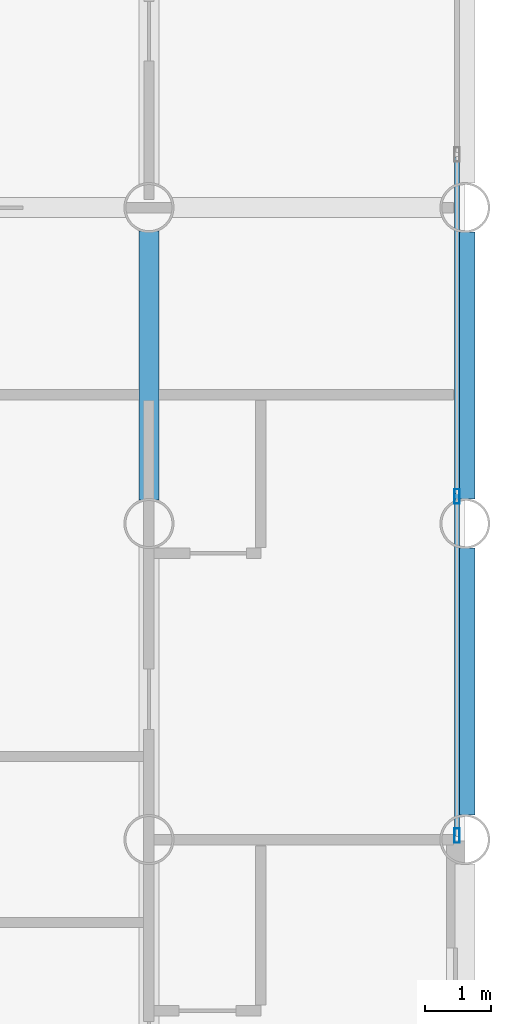
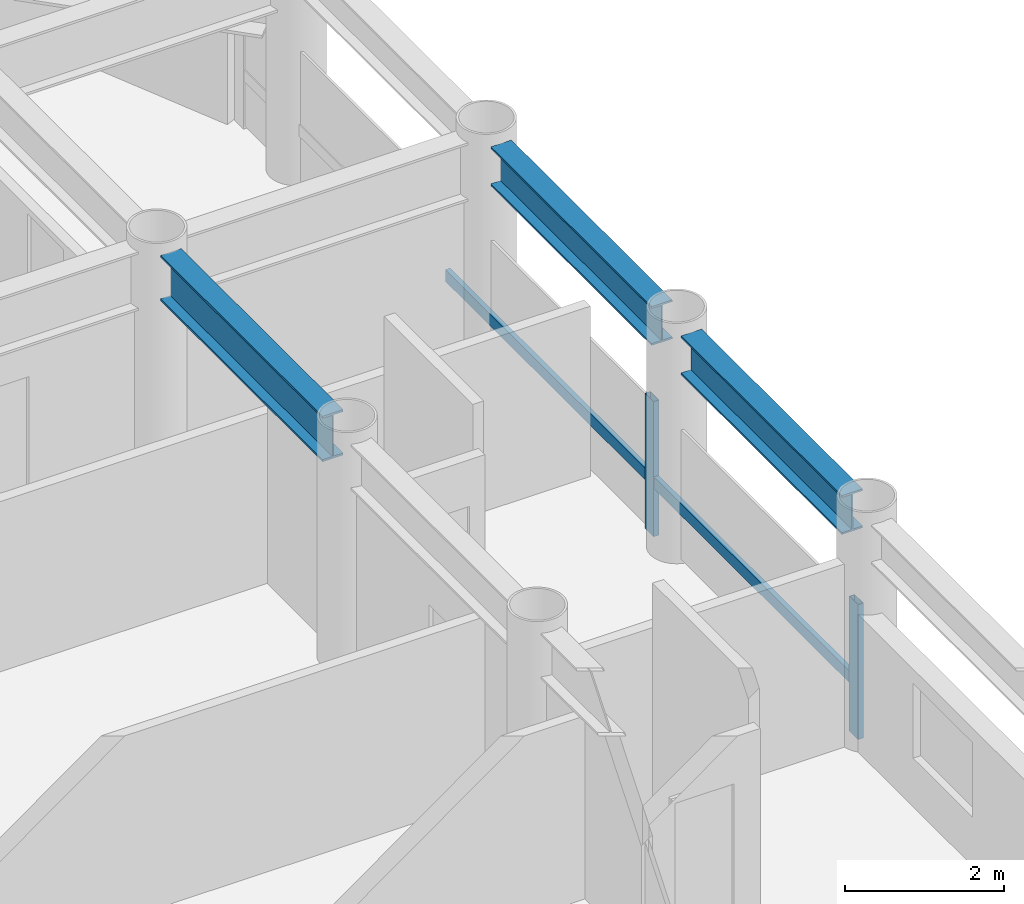
# One storey, part 8 of 20: 4 members, 3 beams, 1 element without a shape of its own.
"""IFC4 building model written with IfcOpenShell, lengths in metres."""

from ifc_helpers import new_model, si_unit, direction, frame, origin, origin_2d, place, context, subcontext, project, spatial, hollow_rectangle, i_section, extrude, material, layer, layer_set, material_profile, profile_set, type_object, element, aggregate, save


model = new_model("IFC4")

# Units and contexts
model_context = context("Model", 3, precision=1e-05, world=origin(), true_north=direction((0.0, 1.0)))
body_context = subcontext(model_context, "Body", "Model", "MODEL_VIEW")
ifc_project = project(units=[si_unit("LENGTHUNIT", "METRE"), si_unit("AREAUNIT", "SQUARE_METRE"), si_unit("VOLUMEUNIT", "CUBIC_METRE"), si_unit("PLANEANGLEUNIT", "RADIAN"), si_unit("MASSUNIT", "GRAM", prefix="KILO")], contexts=[model_context])

# Site, building, storey
site_placement = place(None, origin())
site = spatial("IfcSite", under=ifc_project, at=site_placement, CompositionType="ELEMENT")
building_placement = place(site_placement, origin())
building = spatial("IfcBuilding", under=site, at=building_placement, Name="Kallvorn Hotel Tower", CompositionType="ELEMENT")
storey_placement = place(building_placement, frame((0.0, 0.0, 74.39990234375)))
storey = spatial("IfcBuildingStorey", under=building, at=storey_placement, Name="L17", CompositionType="ELEMENT", Elevation=74.39990234375)

# Beams
ifc_material_1 = material(Name="Structural steel S355JR", Category="steel")
ifc_material_profile_1 = material_profile(ifc_material_1, i_section(OverallWidth=0.300048828125, OverallDepth=0.60009765625, WebThickness=0.015380859375, FlangeThickness=0.030029296875, at=origin_2d()), Name="HE 600 B")
ifc_profile_set_1 = profile_set([ifc_material_profile_1], Name="Structural steel S355JR")
beam_type_1 = type_object("IfcBeamType", Name="BM_HE600B", PredefinedType="SPANDREL", material=ifc_profile_set_1)
beam_1_placement = place(storey_placement, frame((33.60009765625, 0.37109375, 3.22021484375), z_axis=(0.0, 1.0, 0.0), x_axis=(-1.0, 0.0, 0.0)))
element("IfcBeam", 1, at=beam_1_placement, inside=storey, type_object=beam_type_1, Name="L18 Perimeter Spandrel 186", PredefinedType="SPANDREL", context=body_context, shape_type="SweptSolid", body=[
    extrude(i_section(OverallWidth=0.300048828125, OverallDepth=0.60009765625, WebThickness=0.015380859375, FlangeThickness=0.030029296875, at=origin_2d()), origin(), (0.0, 0.0, 1.0), 4.057861328125),
])
beam_2_placement = place(storey_placement, frame((33.60009765625, 5.1708984375, 3.22021484375), z_axis=(0.0, 1.0, 0.0), x_axis=(-1.0, 0.0, 0.0)))
element("IfcBeam", 2, at=beam_2_placement, inside=storey, type_object=beam_type_1, Name="L18 Perimeter Spandrel 187", PredefinedType="SPANDREL", context=body_context, shape_type="SweptSolid", body=[
    extrude(i_section(OverallWidth=0.300048828125, OverallDepth=0.60009765625, WebThickness=0.015380859375, FlangeThickness=0.030029296875, at=origin_2d()), origin(), (0.0, 0.0, 1.0), 4.05810546875),
])
ifc_material_2 = material(Name="Structural steel S355JR", Category="steel")
ifc_material_profile_2 = material_profile(ifc_material_2, i_section(OverallWidth=0.300048828125, OverallDepth=0.699951171875, WebThickness=0.01708984375, FlangeThickness=0.031982421875, at=origin_2d()), Name="HE 700 B")
ifc_profile_set_2 = profile_set([ifc_material_profile_2], Name="Structural steel S355JR")
beam_type_2 = type_object("IfcBeamType", Name="BM_HE700B", PredefinedType="BEAM", material=ifc_profile_set_2)
beam_3_placement = place(storey_placement, frame((28.800048828125, 5.156005859375, 3.170166015625), z_axis=(0.0, 1.0, 0.0), x_axis=(-1.0, 0.0, 0.0)))
element("IfcBeam", 3, at=beam_3_placement, inside=storey, type_object=beam_type_2, Name="L18 Primary Y-Girder 148", PredefinedType="BEAM", context=body_context, shape_type="SweptSolid", body=[
    extrude(i_section(OverallWidth=0.300048828125, OverallDepth=0.699951171875, WebThickness=0.01708984375, FlangeThickness=0.031982421875, at=origin_2d()), origin(), (0.0, 0.0, 1.0), 4.087890625),
])

# Curtain wall, members
ifc_material_3 = material(Name="Thermally broken black-anodised aluminium AA 6063-T6", Category="aluminium")
ifc_layer = layer(ifc_material_3, 0.199951171875)
ifc_layer_set = layer_set([ifc_layer], Name="CW_SYS_3_HOTEL_LOW")
curtain_wall_type = type_object("IfcCurtainWallType", Name="CW_SYS_3_HOTEL_LOW", PredefinedType="USERDEFINED", material=ifc_layer_set)
curtain_wall_placement = place(storey_placement, origin())
curtain_wall = element("IfcCurtainWall", 4, at=curtain_wall_placement, inside=storey, type_object=curtain_wall_type, Name="L17 Dark-Glass Curtain Wall CW-L17-EN", ObjectType="UNITISED CURTAIN WALL", PredefinedType="USERDEFINED")
ifc_material_4 = material(Name="Thermally broken black-anodised aluminium AA 6063-T6", Category="aluminium")
ifc_material_profile_3 = material_profile(ifc_material_4, hollow_rectangle(XDim=0.080078125, YDim=0.219970703125, WallThickness=0.0048828125, at=origin_2d()), Name="MUL 220x80")
ifc_profile_set_3 = profile_set([ifc_material_profile_3], Name="Thermally broken black-anodised aluminium AA 6063-T6")
member_type_1 = type_object("IfcMemberType", Name="CW_MULLION_220x80", PredefinedType="MULLION", material=ifc_profile_set_3)
member_1_placement = place(storey_placement, frame((33.47998046875, 0.06005859375, 0.02001953125), z_axis=(0.0, 0.0, 1.0), x_axis=(1.0, 0.0, 0.0)))
member_1 = element("IfcMember", 5, at=member_1_placement, type_object=member_type_1, Name="CW-L17-EN Mullion 00", PredefinedType="MULLION", context=body_context, shape_type="SweptSolid", body=[
    extrude(hollow_rectangle(XDim=0.080078125, YDim=0.219970703125, WallThickness=0.0048828125, at=origin_2d()), origin(), (0.0, 0.0, 1.0), 2.080078125),
])
member_2_placement = place(storey_placement, frame((33.47998046875, 5.21337890625, 0.02001953125), z_axis=(0.0, 0.0, 1.0), x_axis=(1.0, 0.0, 0.0)))
member_2 = element("IfcMember", 6, at=member_2_placement, type_object=member_type_1, Name="CW-L17-EN Mullion 01", PredefinedType="MULLION", context=body_context, shape_type="SweptSolid", body=[
    extrude(hollow_rectangle(XDim=0.080078125, YDim=0.219970703125, WallThickness=0.0048828125, at=origin_2d()), origin(), (0.0, 0.0, 1.0), 2.080078125),
])
ifc_material_5 = material(Name="Thermally broken black-anodised aluminium AA 6063-T6", Category="aluminium")
ifc_material_profile_4 = material_profile(ifc_material_5, hollow_rectangle(XDim=0.070068359375, YDim=0.179931640625, WallThickness=0.00390625, at=origin_2d()), Name="TRN 180x70")
ifc_profile_set_4 = profile_set([ifc_material_profile_4], Name="Thermally broken black-anodised aluminium AA 6063-T6")
member_type_2 = type_object("IfcMemberType", Name="CW_TRANSOM_180x70", PredefinedType="USERDEFINED", material=ifc_profile_set_4)
member_3_placement = place(storey_placement, frame((33.47998046875, 0.06005859375, 0.85009765625), z_axis=(0.0, 1.0, 0.0), x_axis=(-1.0, 0.0, 0.0)))
member_3 = element("IfcMember", 7, at=member_3_placement, type_object=member_type_2, Name="CW-L17-EN Transom 00M", ObjectType="TRANSOM", PredefinedType="USERDEFINED", context=body_context, shape_type="SweptSolid", body=[
    extrude(hollow_rectangle(XDim=0.070068359375, YDim=0.179931640625, WallThickness=0.00390625, at=origin_2d()), origin(), (0.0, 0.0, 1.0), 5.11328125),
])
member_4_placement = place(storey_placement, frame((33.47998046875, 5.25341796875, 0.85009765625), z_axis=(0.0, 1.0, 0.0), x_axis=(-1.0, 0.0, 0.0)))
member_4 = element("IfcMember", 8, at=member_4_placement, type_object=member_type_2, Name="CW-L17-EN Transom 01M", ObjectType="TRANSOM", PredefinedType="USERDEFINED", context=body_context, shape_type="SweptSolid", body=[
    extrude(hollow_rectangle(XDim=0.070068359375, YDim=0.179931640625, WallThickness=0.00390625, at=origin_2d()), origin(), (0.0, 0.0, 1.0), 5.11328125),
])
aggregate(curtain_wall, [member_1, member_2, member_3, member_4])

save(model, "model.ifc")
